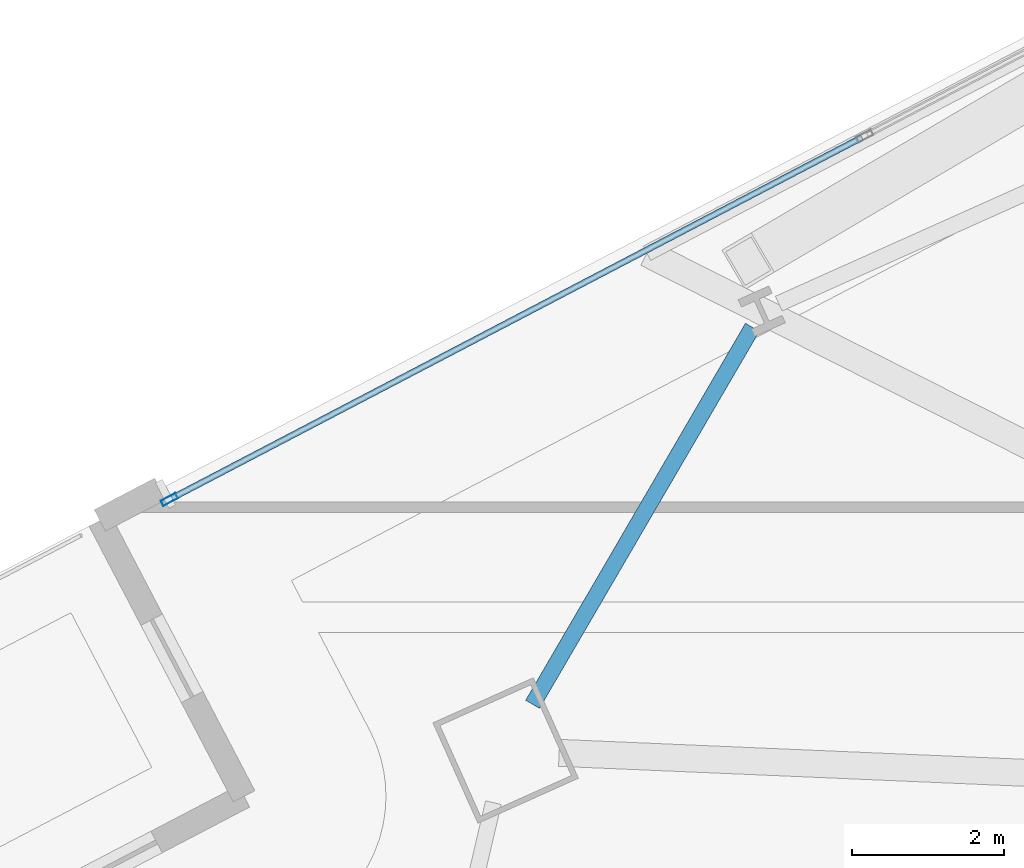
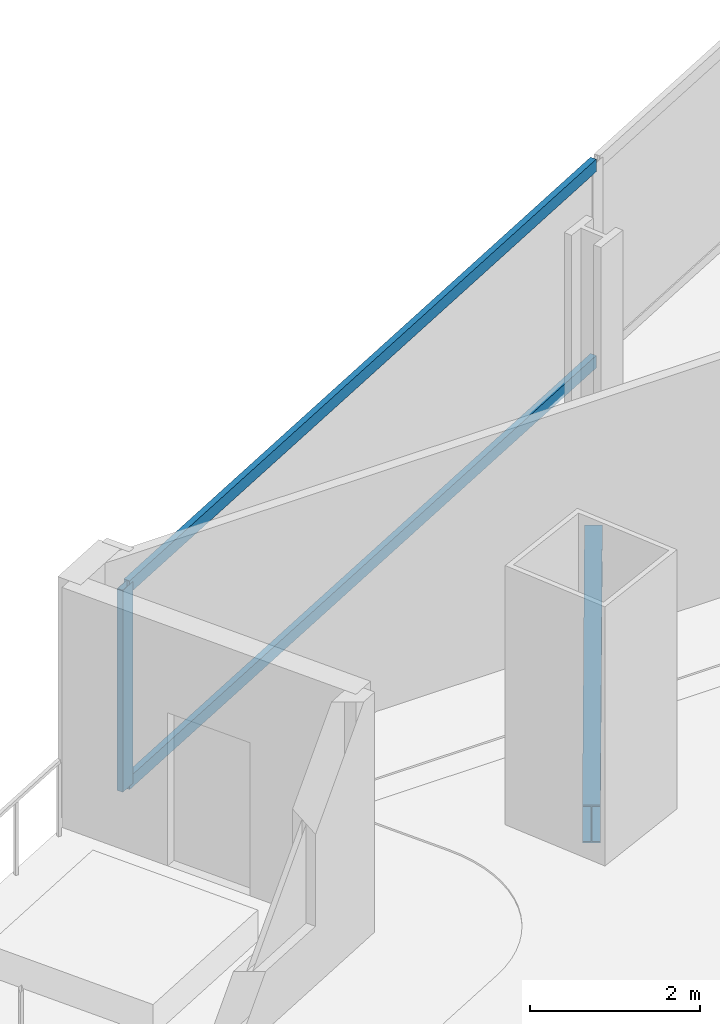
# One storey, part 15 of 33: 3 members, 1 beam, 1 element without a shape of its own.
"""IFC4 building model written with IfcOpenShell, lengths in metres."""

from ifc_helpers import new_model, si_unit, direction, frame, origin, origin_2d, place, context, subcontext, project, spatial, hollow_rectangle, i_section, extrude, material, material_profile, profile_set, type_object, element, aggregate, save


model = new_model("IFC4")

# Units and contexts
model_context = context("Model", 3, precision=1e-05, world=origin(), true_north=direction((0.0, 1.0)))
body_context = subcontext(model_context, "Body", "Model", "MODEL_VIEW")
ifc_project = project(units=[si_unit("LENGTHUNIT", "METRE"), si_unit("AREAUNIT", "SQUARE_METRE"), si_unit("VOLUMEUNIT", "CUBIC_METRE"), si_unit("PLANEANGLEUNIT", "RADIAN"), si_unit("MASSUNIT", "GRAM", prefix="KILO")], contexts=[model_context])

# Site, building, storey
site_placement = place(None, origin())
site = spatial("IfcSite", under=ifc_project, at=site_placement, CompositionType="ELEMENT")
building_placement = place(site_placement, origin())
building = spatial("IfcBuilding", under=site, at=building_placement, Name="Haldenkirk Collegiate Tower", CompositionType="ELEMENT")
storey_placement = place(building_placement, frame((0.0, 0.0, 120.449951171875)))
storey = spatial("IfcBuildingStorey", under=building, at=storey_placement, Name="L29", CompositionType="ELEMENT", Elevation=120.449951171875)

# Beam
ifc_material_1 = material(Name="Steel ASTM A992 Grade 50", Category="steel")
ifc_material_profile_1 = material_profile(ifc_material_1, i_section(OverallWidth=0.2119140625, OverallDepth=0.5439453125, WebThickness=0.01318359375, FlangeThickness=0.021240234375, at=origin_2d()), Name="W21X83")
ifc_profile_set_1 = profile_set([ifc_material_profile_1], Name="Steel ASTM A992 Grade 50")
beam_type = type_object("IfcBeamType", Name="BM-SPANDREL-W21X83", PredefinedType="SPANDREL", material=ifc_profile_set_1)
beam_placement = place(storey_placement, frame((14.035888671875, 40.27001953125, -0.572021484375), z_axis=(-0.503649179098, -0.863908273137, 0.0), x_axis=(0.863908273137, -0.503649179098, 0.0)))
element("IfcBeam", 1, at=beam_placement, inside=storey, type_object=beam_type, Name="L29 perimeter spandrel beam 12", PredefinedType="SPANDREL", context=body_context, shape_type="SweptSolid", body=[
    extrude(i_section(OverallWidth=0.2119140625, OverallDepth=0.5439453125, WebThickness=0.01318359375, FlangeThickness=0.021240234375, at=origin_2d()), origin(), (0.0, 0.0, 1.0), 5.748046875),
])

# Curtain wall, members
ifc_material_2 = material(Name="Anodised architectural bronze aluminium", Category="aluminium")
curtain_wall_type = type_object("IfcCurtainWallType", Name="CW-SYS1-CONVEX-LOW", PredefinedType="USERDEFINED", material=ifc_material_2)
curtain_wall_placement = place(storey_placement, origin())
curtain_wall = element("IfcCurtainWall", 2, at=curtain_wall_placement, inside=storey, type_object=curtain_wall_type, Name="L29 Lower tower convex bronze-framed unitised curtain wall", ObjectType="UNITISED CURTAIN WALL", PredefinedType="USERDEFINED")
ifc_material_profile_2 = material_profile(ifc_material_2, hollow_rectangle(XDim=0.080078125, YDim=0.219970703125, WallThickness=0.0048828125, at=origin_2d()), Name="CW-MUL-1A")
ifc_profile_set_2 = profile_set([ifc_material_profile_2], Name="Anodised architectural bronze aluminium")
member_type_1 = type_object("IfcMemberType", Name="CW-MUL-1A", PredefinedType="MULLION", material=ifc_profile_set_2)
member_1_placement = place(storey_placement, frame((6.356201171875, 38.001953125, 0.0), z_axis=(0.0, 0.0, 1.0), x_axis=(-0.463296790536, 0.886203184309, 0.0)))
member_1 = element("IfcMember", 3, at=member_1_placement, type_object=member_type_1, Name="CW-1A mullion 1", PredefinedType="MULLION", context=body_context, shape_type="SweptSolid", body=[
    extrude(hollow_rectangle(XDim=0.080078125, YDim=0.219970703125, WallThickness=0.0048828125, at=origin_2d()), origin(), (0.0, 0.0, 1.0), 2.901123046875),
])
ifc_material_profile_3 = material_profile(ifc_material_2, hollow_rectangle(XDim=0.080078125, YDim=0.179931640625, WallThickness=0.0048828125, at=origin_2d()), Name="CW-TRN-1A")
ifc_profile_set_3 = profile_set([ifc_material_profile_3], Name="Anodised architectural bronze aluminium")
member_type_2 = type_object("IfcMemberType", Name="CW-TRN-1A", PredefinedType="USERDEFINED", material=ifc_profile_set_3)
member_2_placement = place(storey_placement, frame((6.3916015625, 38.0205078125, 0.0400390625), z_axis=(0.886211004878, 0.463281830891, 0.0), x_axis=(-0.463281830891, 0.886211004878, 0.0)))
member_2 = element("IfcMember", 4, at=member_2_placement, type_object=member_type_2, Name="CW-1A transom 1.1", ObjectType="TRANSOM", PredefinedType="USERDEFINED", context=body_context, shape_type="SweptSolid", body=[
    extrude(hollow_rectangle(XDim=0.080078125, YDim=0.179931640625, WallThickness=0.0048828125, at=origin_2d()), origin(), (0.0, 0.0, 1.0), 10.255126953125),
])
member_3_placement = place(storey_placement, frame((6.3916015625, 38.0205078125, 2.861083984375), z_axis=(0.886211004878, 0.463281830891, 0.0), x_axis=(-0.463281830891, 0.886211004878, 0.0)))
member_3 = element("IfcMember", 5, at=member_3_placement, type_object=member_type_2, Name="CW-1A transom 1.2", ObjectType="TRANSOM", PredefinedType="USERDEFINED", context=body_context, shape_type="SweptSolid", body=[
    extrude(hollow_rectangle(XDim=0.080078125, YDim=0.179931640625, WallThickness=0.0048828125, at=origin_2d()), origin(), (0.0, 0.0, 1.0), 10.255126953125),
])
aggregate(curtain_wall, [member_1, member_2, member_3])

save(model, "model.ifc")
